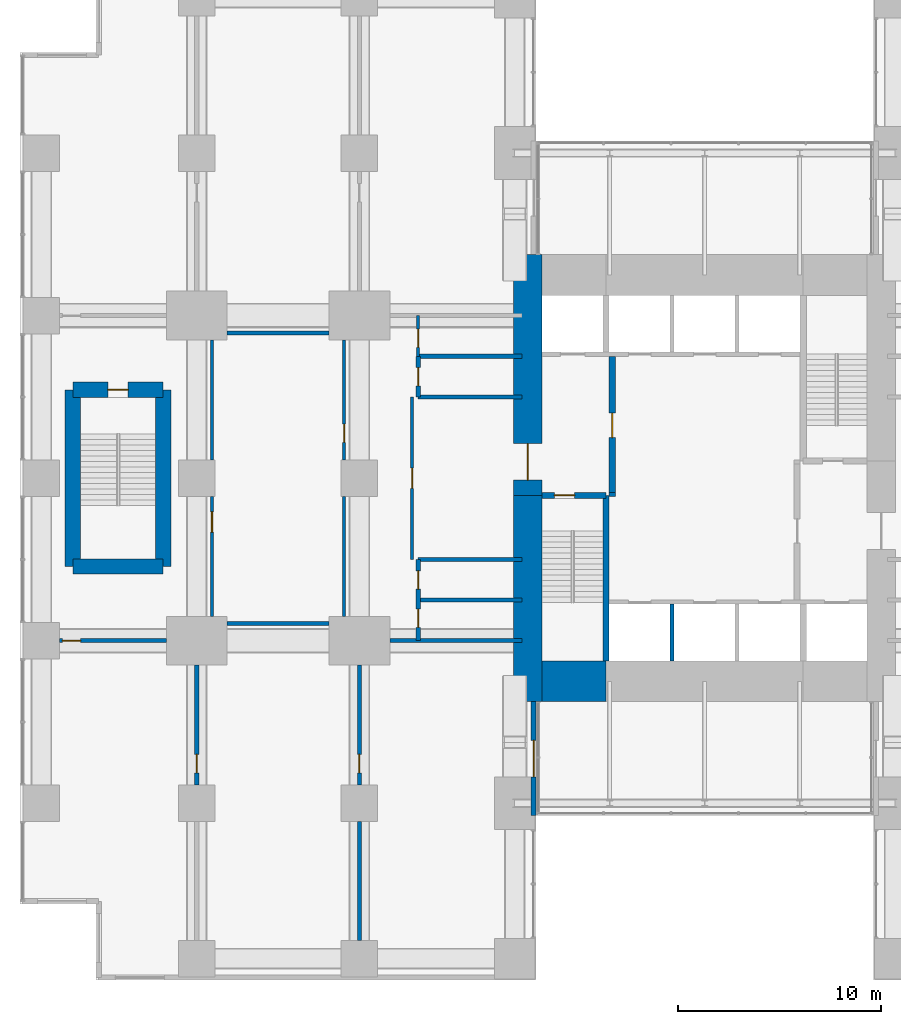
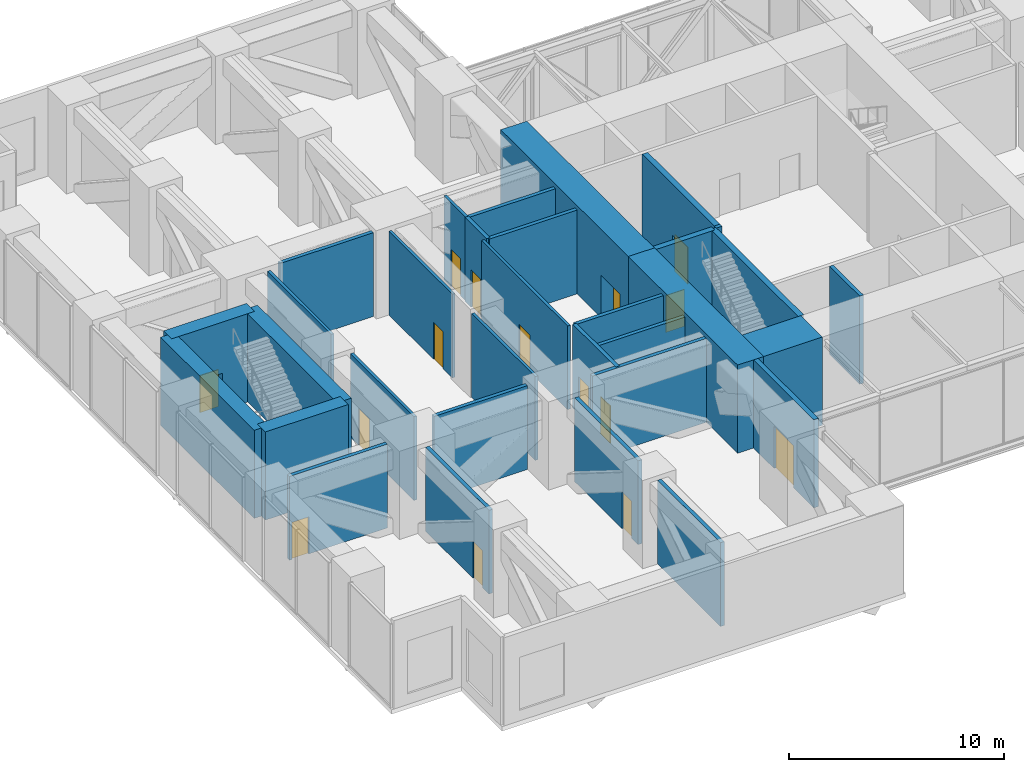
# One storey, part 15 of 19: 32 walls, 15 doors, 15 openings.
"""IFC4 building model written with IfcOpenShell, lengths in metres."""

import ifcopenshell
import ifcopenshell.guid

model = None  # the IFC model being written
_history = None  # IfcOwnerHistory: only IFC2X3 demands one
_inside = {}  # id of a spatial element -> (the spatial element, [elements in it])
_under = {}  # id of a project, library or spatial element -> (it, [spatial elements below it])
_declared = {}  # id of a project -> (the project, [libraries it declares])
_typed = {}  # id of a type object -> (the type object, [elements of that type])
_made_of = {}  # id of a material, layer set ... -> (it, [elements and type objects made of it])


def new_model(schema):
    """Start an empty IFC model of exactly this schema.

    Asked for "IFC4X3", IfcOpenShell would pick the latest addendum, in which some entities
    have other attributes; the version numbers below select the first issue.
    IFC2X3 requires an IfcOwnerHistory on every rooted entity: one is made here for all.
    """
    global model, _history
    if schema == "IFC4X3":
        model = ifcopenshell.file(schema_version=(4, 3, 0, 0))
    else:
        model = ifcopenshell.file(schema=schema)
    _inside.clear()
    _under.clear()
    _declared.clear()
    _typed.clear()
    _made_of.clear()
    _history = None
    if model.schema == "IFC2X3":
        org = make("IfcOrganization", Name="unknown")
        user = make(
            "IfcPersonAndOrganization",
            ThePerson=make("IfcPerson", FamilyName="unknown"),
            TheOrganization=org,
        )
        app = make(
            "IfcApplication",
            ApplicationDeveloper=org,
            Version="unknown",
            ApplicationFullName="unknown",
            ApplicationIdentifier="unknown",
        )
        _history = make(
            "IfcOwnerHistory",
            OwningUser=user,
            OwningApplication=app,
            ChangeAction="ADDED",
            CreationDate=0,
        )
    return model


def make(cls, **values):
    """One entity of the class cls with the attributes given. An attribute that is None is left unset."""
    return model.create_entity(
        cls, **{name: value for name, value in values.items() if value is not None}
    )


def rooted(cls, **values):
    """An entity with a GlobalId (a new one), such as an element, a storey or a relation."""
    return make(cls, GlobalId=ifcopenshell.guid.new(), OwnerHistory=_history, **values)


def si_unit(unit_type, name, prefix=None):
    """IfcSIUnit, for example si_unit("LENGTHUNIT", "METRE", prefix="MILLI")."""
    return make("IfcSIUnit", UnitType=unit_type, Prefix=prefix, Name=name)


def assignment(units):
    """IfcUnitAssignment: the units of a project."""
    return None if units is None else make("IfcUnitAssignment", Units=units)


def point(xyz):
    """IfcCartesianPoint."""
    return None if xyz is None else make("IfcCartesianPoint", Coordinates=xyz)


def direction(xyz):
    """IfcDirection."""
    return None if xyz is None else make("IfcDirection", DirectionRatios=xyz)


def frame(location, z_axis=None, x_axis=None):
    """IfcAxis2Placement3D, a coordinate frame: its origin and axes. An axis left out is left unset."""
    return make(
        "IfcAxis2Placement3D",
        Location=point(location),
        Axis=direction(z_axis),
        RefDirection=direction(x_axis),
    )


def frame_2d(location, x_axis=None):
    """IfcAxis2Placement2D, a coordinate frame in the plane: its origin and x axis."""
    return make(
        "IfcAxis2Placement2D", Location=point(location), RefDirection=direction(x_axis)
    )


def origin():
    """The frame at (0, 0, 0) with its axes left unset."""
    return frame((0.0, 0.0, 0.0))


def place(relative_to, where):
    """IfcLocalPlacement: puts the frame where relative to a parent placement (None: the world)."""
    return make(
        "IfcLocalPlacement", PlacementRelTo=relative_to, RelativePlacement=where
    )


def context(
    kind, dimensions, precision=None, world=None, true_north=None, identifier=None
):
    """IfcGeometricRepresentationContext, for example the 3D "Model" context."""
    return make(
        "IfcGeometricRepresentationContext",
        ContextIdentifier=identifier,
        ContextType=kind,
        CoordinateSpaceDimension=dimensions,
        Precision=precision,
        WorldCoordinateSystem=world,
        TrueNorth=true_north,
    )


def subcontext(parent, identifier, kind, view, scale=None):
    """IfcGeometricRepresentationSubContext, for example "Body" below "Model"."""
    return make(
        "IfcGeometricRepresentationSubContext",
        ContextIdentifier=identifier,
        ContextType=kind,
        ParentContext=parent,
        TargetScale=scale,
        TargetView=view,
    )


def project(units=None, contexts=None):
    """IfcProject with its units and contexts."""
    return rooted(
        "IfcProject",
        Name="project",
        RepresentationContexts=contexts,
        UnitsInContext=assignment(units),
    )


def spatial(cls, under=None, at=None, **own):
    """A site, building, storey or space (cls), placed at a placement, below another one or the project."""
    s = rooted(cls, ObjectPlacement=at, **own)
    if under is not None:
        _under.setdefault(under.id(), (under, []))[1].append(s)
    return s


def profile(cls, at=None, kind="AREA", **sizes):
    """A parametric profile (cls). Its sizes go by their IFC names, for example OverallWidth=200.0."""
    return make(cls, ProfileType=kind, Position=at, **sizes)


def rectangle(**sizes):
    """IfcRectangleProfileDef."""
    return profile("IfcRectangleProfileDef", **sizes)


def extrude(swept, where, along, depth):
    """IfcExtrudedAreaSolid: the profile swept, set in the frame where, extruded along a direction by depth."""
    return make(
        "IfcExtrudedAreaSolid",
        SweptArea=swept,
        Position=where,
        ExtrudedDirection=direction(along),
        Depth=depth,
    )


def shape(context_of_items, identifier, shape_type, items):
    """IfcShapeRepresentation: the items that make up one representation, for example the "Body"."""
    return make(
        "IfcShapeRepresentation",
        ContextOfItems=context_of_items,
        RepresentationIdentifier=identifier,
        RepresentationType=shape_type,
        Items=items,
    )


def material(Name=None, Category=None):
    """IfcMaterial."""
    return make("IfcMaterial", Name=Name, Category=Category)


def layer(
    of_material, thickness, ventilated=None, Name=None, Category=None, Priority=None
):
    """IfcMaterialLayer: one layer of a wall or slab, of a material (None: an air gap)."""
    return make(
        "IfcMaterialLayer",
        Material=of_material,
        LayerThickness=thickness,
        IsVentilated=ventilated,
        Name=Name,
        Category=Category,
        Priority=Priority,
    )


def layer_set(layers, Name=None):
    """IfcMaterialLayerSet."""
    return make("IfcMaterialLayerSet", MaterialLayers=layers, LayerSetName=Name)


def made_of(thing, what):
    """Note that an element or type object is made of a material, layer set ...; save() writes the relation."""
    if what is not None:
        _made_of.setdefault(what.id(), (what, []))[1].append(thing)
    return thing


def type_object(cls, material=None, **own):
    """A type object (cls), such as IfcWallType, which elements share."""
    return made_of(rooted(cls, **own), material)


def element(
    cls,
    number,
    at=None,
    inside=None,
    cuts=None,
    type_object=None,
    material=None,
    context=None,
    identifier="Body",
    shape_type=None,
    held_by="IfcProductDefinitionShape",
    body=None,
    shapes=None,
    **own,
):
    """One element of the class cls, such as IfcWall. Its Tag is "e" and its number.

    at: its placement. inside: the storey or other place that contains it. cuts: it is an
    opening in that element (IfcRelVoidsElement). A single representation is given by context,
    identifier, shape_type and body (its items); several are given by shapes. held_by: the class
    of the entity that holds the representations. save() writes the other relations.
    """
    e = rooted(cls, Tag="e%d" % number, ObjectPlacement=at, **own)
    if body is not None:
        shapes = [shape(context, identifier, shape_type, body)]
    if shapes is not None:
        e.Representation = make(held_by, Representations=shapes)
    if inside is not None:
        _inside.setdefault(inside.id(), (inside, []))[1].append(e)
    if cuts is not None:
        rooted(
            "IfcRelVoidsElement", RelatingBuildingElement=cuts, RelatedOpeningElement=e
        )
    if type_object is not None:
        _typed.setdefault(type_object.id(), (type_object, []))[1].append(e)
    return made_of(e, material)


def fill(opening, filler):
    """IfcRelFillsElement: the door or window that sits in an opening."""
    return rooted(
        "IfcRelFillsElement",
        RelatingOpeningElement=opening,
        RelatedBuildingElement=filler,
    )


def aggregate(whole, parts):
    """IfcRelAggregates: a whole, such as a stair, and the parts it consists of."""
    return rooted("IfcRelAggregates", RelatingObject=whole, RelatedObjects=parts)


def save(model, path):
    """Write the relations noted so far, then the file.

    IfcRelAggregates (storeys below a building ...), IfcRelContainedInSpatialStructure (elements
    in a storey), IfcRelDefinesByType, IfcRelAssociatesMaterial and IfcRelDeclares: one each for
    every whole, place, type object, material and project.
    """
    for whole, parts in _under.values():
        aggregate(whole, parts)
    for where, things in _inside.values():
        rooted(
            "IfcRelContainedInSpatialStructure",
            RelatedElements=things,
            RelatingStructure=where,
        )
    for kind, things in _typed.values():
        rooted("IfcRelDefinesByType", RelatedObjects=things, RelatingType=kind)
    for what, things in _made_of.values():
        rooted("IfcRelAssociatesMaterial", RelatedObjects=things, RelatingMaterial=what)
    for by, libraries in _declared.values():
        rooted("IfcRelDeclares", RelatingContext=by, RelatedDefinitions=libraries)
    model.write(path)


model = new_model("IFC4")

# Units and contexts
model_context = context("Model", 3, precision=1e-05, world=origin(), true_north=direction((0.0, 1.0)))
body_context = subcontext(model_context, "Body", "Model", "MODEL_VIEW")
ifc_project = project(units=[si_unit("LENGTHUNIT", "METRE"), si_unit("AREAUNIT", "SQUARE_METRE"), si_unit("VOLUMEUNIT", "CUBIC_METRE"), si_unit("PLANEANGLEUNIT", "RADIAN"), si_unit("MASSUNIT", "GRAM", prefix="KILO")], contexts=[model_context])

# Site, building, storey
site_placement = place(None, origin())
site = spatial("IfcSite", under=ifc_project, at=site_placement, CompositionType="ELEMENT")
building_placement = place(site_placement, origin())
building = spatial("IfcBuilding", under=site, at=building_placement, Name="Cleftline Residences", CompositionType="ELEMENT")
storey_placement = place(building_placement, frame((0.0, 0.0, 177.199951171875)))
storey = spatial("IfcBuildingStorey", under=building, at=storey_placement, Name="L46", CompositionType="ELEMENT", Elevation=177.199951171875)

# Wall
ifc_material_1 = material(Name="Concrete B70", Category="concrete")
ifc_layer_1 = layer(ifc_material_1, 1.39990234375)
ifc_layer_set_1 = layer_set([ifc_layer_1], Name="CORE WALL 1400")
wall_type_1 = type_object("IfcWallType", Name="CORE WALL 1400", PredefinedType="SHEAR", material=ifc_layer_set_1)
wall_1_placement = place(storey_placement, frame((24.300048828125, 13.0, 0.0), z_axis=(0.0, 0.0, 1.0), x_axis=(0.0, 1.0, 0.0)))
element("IfcWall", 1, at=wall_1_placement, inside=storey, type_object=wall_type_1, Name="Core wall W0", PredefinedType="SHEAR", context=body_context, shape_type="SweptSolid", body=[
    extrude(rectangle(XDim=10.14990234375, YDim=1.39990234375, at=frame_2d((5.074951171875, 0.0))), origin(), (0.0, 0.0, 1.0), 5.0),
])

# Wall, opening, door
wall_2_placement = place(storey_placement, frame((24.300048828125, 23.14990234375, 0.0), z_axis=(0.0, 0.0, 1.0), x_axis=(0.0, 1.0, 0.0)))
wall_2 = element("IfcWall", 2, at=wall_2_placement, inside=storey, type_object=wall_type_1, Name="Core wall W", PredefinedType="SHEAR", context=body_context, shape_type="SweptSolid", body=[
    extrude(rectangle(XDim=11.85009765625, YDim=1.39990234375, at=frame_2d((5.925048828125, 0.0))), origin(), (0.0, 0.0, 1.0), 5.0),
])
opening_1_placement = place(wall_2_placement, frame((0.75, 0.0, 0.0)))
opening_1 = element("IfcOpeningElement", 3, at=opening_1_placement, cuts=wall_2, Name="Opening D7", PredefinedType="OPENING", context=body_context, shape_type="SweptSolid", body=[
    extrude(rectangle(XDim=1.800048828125, YDim=2.39990234375, at=frame_2d((0.89990234375, 1.199951171875))), frame((0.0, 0.7099609375, 0.0), z_axis=(0.0, -1.0, 0.0), x_axis=(1.0, 0.0, 0.0)), (0.0, 0.0, 1.0), 1.419921875),
])
ifc_material_2 = material(Name="Steel", Category="steel")
door_type_1 = type_object("IfcDoorType", Name="WING DOOR 1800X2400", OperationType="DOUBLE_DOOR_DOUBLE_SWING", PredefinedType="DOOR", material=ifc_material_2)
door_1_placement = place(opening_1_placement, origin())
door_1 = element("IfcDoor", 4, at=door_1_placement, inside=storey, type_object=door_type_1, Name="West wing door", OperationType="DOUBLE_DOOR_DOUBLE_SWING", OverallHeight=2.39990234375, OverallWidth=1.800048828125, PredefinedType="DOOR", context=body_context, shape_type="SweptSolid", body=[
    extrude(rectangle(XDim=1.800048828125, YDim=2.39990234375, at=frame_2d((0.89990234375, 1.199951171875))), frame((0.0, 0.02490234375, 0.0), z_axis=(0.0, -1.0, 0.0), x_axis=(1.0, 0.0, 0.0)), (0.0, 0.0, 1.0), 0.050048828125),
])
fill(opening_1, door_1)

# Walls
ifc_material_3 = material(Name="Concrete B70", Category="concrete")
ifc_layer_2 = layer(ifc_material_3, 2.0)
ifc_layer_set_2 = layer_set([ifc_layer_2], Name="CORE WALL 2000")
wall_type_2 = type_object("IfcWallType", Name="CORE WALL 2000", PredefinedType="SHEAR", material=ifc_layer_set_2)
wall_3_placement = place(storey_placement, frame((25.0, 14.0, 0.0), z_axis=(0.0, 0.0, 1.0), x_axis=(1.0, 0.0, 0.0)))
element("IfcWall", 5, at=wall_3_placement, inside=storey, type_object=wall_type_2, Name="Core wall S1", PredefinedType="SHEAR", context=body_context, shape_type="SweptSolid", body=[
    extrude(rectangle(XDim=3.14990234375, YDim=2.0, at=frame_2d((1.574951171875, 0.0))), origin(), (0.0, 0.0, 1.0), 5.0),
])
ifc_material_4 = material(Name="Concrete B70", Category="concrete")
ifc_layer_3 = layer(ifc_material_4, 0.300048828125)
ifc_layer_set_3 = layer_set([ifc_layer_3], Name="CORE WALL 300")
wall_type_3 = type_object("IfcWallType", Name="CORE WALL 300", PredefinedType="SHEAR", material=ifc_layer_set_3)
wall_4_placement = place(storey_placement, frame((28.14990234375, 15.0, 0.0), z_axis=(0.0, 0.0, 1.0), x_axis=(0.0, 1.0, 0.0)))
element("IfcWall", 6, at=wall_4_placement, inside=storey, type_object=wall_type_3, Name="Core wall SA-E", PredefinedType="SHEAR", context=body_context, shape_type="SweptSolid", body=[
    extrude(rectangle(XDim=8.14990234375, YDim=0.300048828125, at=frame_2d((4.074951171875, 0.0))), origin(), (0.0, 0.0, 1.0), 5.0),
])

# Wall, opening, door
wall_5_placement = place(storey_placement, frame((25.0, 23.14990234375, 0.0), z_axis=(0.0, 0.0, 1.0), x_axis=(1.0, 0.0, 0.0)))
wall_5 = element("IfcWall", 7, at=wall_5_placement, inside=storey, type_object=wall_type_3, Name="Core wall SA-N", PredefinedType="SHEAR", context=body_context, shape_type="SweptSolid", body=[
    extrude(rectangle(XDim=3.14990234375, YDim=0.300048828125, at=frame_2d((1.574951171875, 0.0))), origin(), (0.0, 0.0, 1.0), 5.0),
])
opening_2_placement = place(wall_5_placement, frame((0.60009765625, 0.0, 0.0)))
opening_2 = element("IfcOpeningElement", 8, at=opening_2_placement, cuts=wall_5, Name="Opening D5", PredefinedType="OPENING", context=body_context, shape_type="SweptSolid", body=[
    extrude(rectangle(XDim=1.0, YDim=2.10009765625, at=frame_2d((0.5, 1.050048828125))), frame((0.0, 0.159912109375, 0.0), z_axis=(0.0, -1.0, 0.0), x_axis=(1.0, 0.0, 0.0)), (0.0, 0.0, 1.0), 0.320068359375),
])
ifc_material_5 = material(Name="Steel", Category="steel")
door_type_2 = type_object("IfcDoorType", Name="STAIR DOOR 1000X2100", OperationType="SINGLE_SWING_LEFT", PredefinedType="DOOR", material=ifc_material_5)
door_2_placement = place(opening_2_placement, origin())
door_2 = element("IfcDoor", 9, at=door_2_placement, inside=storey, type_object=door_type_2, Name="Stair A door", OperationType="SINGLE_SWING_RIGHT", OverallHeight=2.10009765625, OverallWidth=1.0, PredefinedType="DOOR", context=body_context, shape_type="SweptSolid", body=[
    extrude(rectangle(XDim=1.0, YDim=2.10009765625, at=frame_2d((0.5, 1.050048828125))), frame((0.0, 0.02490234375, 0.0), z_axis=(0.0, -1.0, 0.0), x_axis=(1.0, 0.0, 0.0)), (0.0, 0.0, 1.0), 0.050048828125),
])
fill(opening_2, door_2)

ifc_material_6 = material(Name="Rendered reinforced concrete blockwork", Category="masonry")
ifc_layer_4 = layer(ifc_material_6, 0.25)
ifc_layer_set_4 = layer_set([ifc_layer_4], Name="EXTERNAL WALL 250")
wall_type_4 = type_object("IfcWallType", Name="EXTERNAL WALL 250", PredefinedType="SOLIDWALL", material=ifc_layer_set_4)
wall_6_placement = place(storey_placement, frame((24.574951171875, 7.39990234375, 0.0), z_axis=(0.0, 0.0, 1.0), x_axis=(0.0, 1.0, 0.0)))
wall_6 = element("IfcWall", 10, at=wall_6_placement, inside=storey, type_object=wall_type_4, Name="External wall", PredefinedType="SOLIDWALL", context=body_context, shape_type="SweptSolid", body=[
    extrude(rectangle(XDim=5.60009765625, YDim=0.25, at=frame_2d((2.800048828125, 0.0))), origin(), (0.0, 0.0, 1.0), 5.0),
])
opening_3_placement = place(wall_6_placement, frame((1.89990234375, 0.0, 0.0)))
opening_3 = element("IfcOpeningElement", 11, at=opening_3_placement, cuts=wall_6, Name="Opening DB1", PredefinedType="OPENING", context=body_context, shape_type="SweptSolid", body=[
    extrude(rectangle(XDim=1.800048828125, YDim=2.39990234375, at=frame_2d((0.89990234375, 1.199951171875))), frame((0.0, 0.135009765625, 0.0), z_axis=(0.0, -1.0, 0.0), x_axis=(1.0, 0.0, 0.0)), (0.0, 0.0, 1.0), 0.27001953125),
])
ifc_material_7 = material(Name="Steel and glass, fire rated", Category="steel")
door_type_3 = type_object("IfcDoorType", Name="BRIDGE DOOR 1800X2400", OperationType="DOUBLE_DOOR_DOUBLE_SWING", PredefinedType="DOOR", material=ifc_material_7)
door_3_placement = place(opening_3_placement, origin())
door_3 = element("IfcDoor", 12, at=door_3_placement, inside=storey, type_object=door_type_3, Name="Sky bridge door", OperationType="DOUBLE_DOOR_DOUBLE_SWING", OverallHeight=2.39990234375, OverallWidth=1.800048828125, PredefinedType="DOOR", context=body_context, shape_type="SweptSolid", body=[
    extrude(rectangle(XDim=1.800048828125, YDim=2.39990234375, at=frame_2d((0.89990234375, 1.199951171875))), frame((0.0, 0.02490234375, 0.0), z_axis=(0.0, -1.0, 0.0), x_axis=(1.0, 0.0, 0.0)), (0.0, 0.0, 1.0), 0.050048828125),
])
fill(opening_3, door_3)

ifc_material_8 = material(Name="Concrete blockwork, fire rated", Category="masonry")
ifc_layer_5 = layer(ifc_material_8, 0.199951171875)
ifc_layer_set_5 = layer_set([ifc_layer_5], Name="FIRE WALL 200")
wall_type_5 = type_object("IfcWallType", Name="FIRE WALL 200", PredefinedType="PARTITIONING", material=ifc_layer_set_5)
wall_7_placement = place(storey_placement, frame((1.25, 16.0, 0.0), z_axis=(0.0, 0.0, 1.0), x_axis=(1.0, 0.0, 0.0)))
wall_7 = element("IfcWall", 13, at=wall_7_placement, inside=storey, type_object=wall_type_5, Name="Fire separating wall", PredefinedType="PARTITIONING", context=body_context, shape_type="SweptSolid", body=[
    extrude(rectangle(XDim=5.25, YDim=0.199951171875, at=frame_2d((2.625, 0.0))), origin(), (0.0, 0.0, 1.0), 4.75),
])
opening_4_placement = place(wall_7_placement, frame((0.139892578125, 0.0, 0.0)))
opening_4 = element("IfcOpeningElement", 14, at=opening_4_placement, cuts=wall_7, Name="Opening D1F60", PredefinedType="OPENING", context=body_context, shape_type="SweptSolid", body=[
    extrude(rectangle(XDim=0.89990234375, YDim=2.10009765625, at=frame_2d((0.449951171875, 1.050048828125))), frame((0.0, 0.10986328125, 0.0), z_axis=(0.0, -1.0, 0.0), x_axis=(1.0, 0.0, 0.0)), (0.0, 0.0, 1.0), 0.219970703125),
])
ifc_material_9 = material(Name="Timber veneer on solid core", Category="wood")
door_type_4 = type_object("IfcDoorType", Name="DOOR 900X2100 EI 60", OperationType="SINGLE_SWING_LEFT", PredefinedType="DOOR", material=ifc_material_9)
door_4_placement = place(opening_4_placement, origin())
door_4 = element("IfcDoor", 15, at=door_4_placement, inside=storey, type_object=door_type_4, Name="Door to air handling plant room", OperationType="SINGLE_SWING_RIGHT", OverallHeight=2.10009765625, OverallWidth=0.89990234375, PredefinedType="DOOR", context=body_context, shape_type="SweptSolid", body=[
    extrude(rectangle(XDim=0.89990234375, YDim=2.10009765625, at=frame_2d((0.449951171875, 1.050048828125))), frame((0.0, 0.02490234375, 0.0), z_axis=(0.0, -1.0, 0.0), x_axis=(1.0, 0.0, 0.0)), (0.0, 0.0, 1.0), 0.050048828125),
])
fill(opening_4, door_4)

# Walls
wall_8_placement = place(storey_placement, frame((17.5, 16.0, 0.0), z_axis=(0.0, 0.0, 1.0), x_axis=(1.0, 0.0, 0.0)))
element("IfcWall", 16, at=wall_8_placement, inside=storey, type_object=wall_type_5, Name="Fire separating wall", PredefinedType="PARTITIONING", context=body_context, shape_type="SweptSolid", body=[
    extrude(rectangle(XDim=6.5, YDim=0.199951171875, at=frame_2d((3.25, 0.0))), origin(), (0.0, 0.0, 1.0), 4.75),
])
wall_9_placement = place(storey_placement, frame((9.5, 16.85009765625, 0.0), z_axis=(0.0, 0.0, 1.0), x_axis=(1.0, 0.0, 0.0)))
element("IfcWall", 17, at=wall_9_placement, inside=storey, type_object=wall_type_5, Name="Fire separating wall", PredefinedType="PARTITIONING", context=body_context, shape_type="SweptSolid", body=[
    extrude(rectangle(XDim=5.0, YDim=0.199951171875, at=frame_2d((2.5, 0.0))), origin(), (0.0, 0.0, 1.0), 4.75),
])
for number, where, z_axis, x_axis, name in (
    (18, (18.89990234375, 18.0, 0.0), (0.0, 0.0, 1.0), (1.0, 0.0, 0.0), "Fire separating wall"),
    (19, (18.89990234375, 20.0, 0.0), (0.0, 0.0, 1.0), (1.0, 0.0, 0.0), "Fire separating wall"),
    (20, (18.89990234375, 28.0, 0.0), (0.0, 0.0, 1.0), (1.0, 0.0, 0.0), "Fire separating wall"),
    (21, (18.89990234375, 30.0, 0.0), (0.0, 0.0, 1.0), (1.0, 0.0, 0.0), "Fire separating wall"),
):
    element("IfcWall", number, at=place(storey_placement, frame(where, z_axis=z_axis, x_axis=x_axis)), inside=storey, type_object=wall_type_5, Name=name, PredefinedType="PARTITIONING", context=body_context, shape_type="SweptSolid", body=[
        extrude(rectangle(XDim=5.10009765625, YDim=0.199951171875, at=frame_2d((2.550048828125, 0.0))), origin(), (0.0, 0.0, 1.0), 4.75),
    ])
wall_10_placement = place(storey_placement, frame((9.5, 31.14990234375, 0.0), z_axis=(0.0, 0.0, 1.0), x_axis=(1.0, 0.0, 0.0)))
element("IfcWall", 22, at=wall_10_placement, inside=storey, type_object=wall_type_5, Name="Fire separating wall", PredefinedType="PARTITIONING", context=body_context, shape_type="SweptSolid", body=[
    extrude(rectangle(XDim=5.0, YDim=0.199951171875, at=frame_2d((2.5, 0.0))), origin(), (0.0, 0.0, 1.0), 4.75),
])

# Wall, opening, door
wall_11_placement = place(storey_placement, frame((8.0, 8.89990234375, 0.0), z_axis=(0.0, 0.0, 1.0), x_axis=(0.0, 1.0, 0.0)))
wall_11 = element("IfcWall", 23, at=wall_11_placement, inside=storey, type_object=wall_type_5, Name="Fire separating wall", PredefinedType="PARTITIONING", context=body_context, shape_type="SweptSolid", body=[
    extrude(rectangle(XDim=5.900146484375, YDim=0.199951171875, at=frame_2d((2.9501953125, 0.0))), origin(), (0.0, 0.0, 1.0), 4.75),
])
opening_5_placement = place(wall_11_placement, frame((0.60009765625, 0.0, 0.0)))
opening_5 = element("IfcOpeningElement", 24, at=opening_5_placement, cuts=wall_11, Name="Opening D1F60", PredefinedType="OPENING", context=body_context, shape_type="SweptSolid", body=[
    extrude(rectangle(XDim=0.89990234375, YDim=2.10009765625, at=frame_2d((0.449951171875, 1.050048828125))), frame((0.0, 0.10986328125, 0.0), z_axis=(0.0, -1.0, 0.0), x_axis=(1.0, 0.0, 0.0)), (0.0, 0.0, 1.0), 0.219970703125),
])
door_5_placement = place(opening_5_placement, origin())
door_5 = element("IfcDoor", 25, at=door_5_placement, inside=storey, type_object=door_type_4, Name="Door to chilled water pump room", OperationType="SINGLE_SWING_RIGHT", OverallHeight=2.10009765625, OverallWidth=0.89990234375, PredefinedType="DOOR", context=body_context, shape_type="SweptSolid", body=[
    extrude(rectangle(XDim=0.89990234375, YDim=2.10009765625, at=frame_2d((0.449951171875, 1.050048828125))), frame((0.0, 0.02490234375, 0.0), z_axis=(0.0, -1.0, 0.0), x_axis=(1.0, 0.0, 0.0)), (0.0, 0.0, 1.0), 0.050048828125),
])
fill(opening_5, door_5)

# Wall
wall_12_placement = place(storey_placement, frame((16.0, 1.25, 0.0), z_axis=(0.0, 0.0, 1.0), x_axis=(0.0, 1.0, 0.0)))
element("IfcWall", 26, at=wall_12_placement, inside=storey, type_object=wall_type_5, Name="Fire separating wall", PredefinedType="PARTITIONING", context=body_context, shape_type="SweptSolid", body=[
    extrude(rectangle(XDim=5.85009765625, YDim=0.199951171875, at=frame_2d((2.925048828125, 0.0))), origin(), (0.0, 0.0, 1.0), 4.75),
])

# Wall, opening, door
wall_13_placement = place(storey_placement, frame((16.0, 8.89990234375, 0.0), z_axis=(0.0, 0.0, 1.0), x_axis=(0.0, 1.0, 0.0)))
wall_13 = element("IfcWall", 27, at=wall_13_placement, inside=storey, type_object=wall_type_5, Name="Fire separating wall", PredefinedType="PARTITIONING", context=body_context, shape_type="SweptSolid", body=[
    extrude(rectangle(XDim=5.900146484375, YDim=0.199951171875, at=frame_2d((2.9501953125, 0.0))), origin(), (0.0, 0.0, 1.0), 4.75),
])
opening_6_placement = place(wall_13_placement, frame((0.60009765625, 0.0, 0.0)))
opening_6 = element("IfcOpeningElement", 28, at=opening_6_placement, cuts=wall_13, Name="Opening D1F60", PredefinedType="OPENING", context=body_context, shape_type="SweptSolid", body=[
    extrude(rectangle(XDim=0.89990234375, YDim=2.10009765625, at=frame_2d((0.449951171875, 1.050048828125))), frame((0.0, 0.10986328125, 0.0), z_axis=(0.0, -1.0, 0.0), x_axis=(1.0, 0.0, 0.0)), (0.0, 0.0, 1.0), 0.219970703125),
])
door_6_placement = place(opening_6_placement, origin())
door_6 = element("IfcDoor", 29, at=door_6_placement, inside=storey, type_object=door_type_4, Name="Door to electrical switch room", OperationType="SINGLE_SWING_RIGHT", OverallHeight=2.10009765625, OverallWidth=0.89990234375, PredefinedType="DOOR", context=body_context, shape_type="SweptSolid", body=[
    extrude(rectangle(XDim=0.89990234375, YDim=2.10009765625, at=frame_2d((0.449951171875, 1.050048828125))), frame((0.0, 0.02490234375, 0.0), z_axis=(0.0, -1.0, 0.0), x_axis=(1.0, 0.0, 0.0)), (0.0, 0.0, 1.0), 0.050048828125),
])
fill(opening_6, door_6)

# Wall, openings, doors
wall_14_placement = place(storey_placement, frame((18.89990234375, 16.0, 0.0), z_axis=(0.0, 0.0, 1.0), x_axis=(0.0, 1.0, 0.0)))
wall_14 = element("IfcWall", 30, at=wall_14_placement, inside=storey, type_object=wall_type_5, Name="Fire separating wall", PredefinedType="PARTITIONING", context=body_context, shape_type="SweptSolid", body=[
    extrude(rectangle(XDim=4.0, YDim=0.199951171875, at=frame_2d((2.0, 0.0))), origin(), (0.0, 0.0, 1.0), 4.75),
])
opening_7_placement = place(wall_14_placement, frame((0.659912109375, 0.0, 0.0)))
opening_7 = element("IfcOpeningElement", 31, at=opening_7_placement, cuts=wall_14, Name="Opening D1F30", PredefinedType="OPENING", context=body_context, shape_type="SweptSolid", body=[
    extrude(rectangle(XDim=0.89990234375, YDim=2.10009765625, at=frame_2d((0.449951171875, 1.050048828125))), frame((0.0, 0.10986328125, 0.0), z_axis=(0.0, -1.0, 0.0), x_axis=(1.0, 0.0, 0.0)), (0.0, 0.0, 1.0), 0.219970703125),
])
opening_8_placement = place(wall_14_placement, frame((2.5400390625, 0.0, 0.0)))
opening_8 = element("IfcOpeningElement", 32, at=opening_8_placement, cuts=wall_14, Name="Opening D1F30", PredefinedType="OPENING", context=body_context, shape_type="SweptSolid", body=[
    extrude(rectangle(XDim=0.89990234375, YDim=2.10009765625, at=frame_2d((0.449951171875, 1.050048828125))), frame((0.0, 0.10986328125, 0.0), z_axis=(0.0, -1.0, 0.0), x_axis=(1.0, 0.0, 0.0)), (0.0, 0.0, 1.0), 0.219970703125),
])
ifc_material_10 = material(Name="Timber veneer on solid core", Category="wood")
door_type_5 = type_object("IfcDoorType", Name="DOOR 900X2100 EI 30", OperationType="SINGLE_SWING_LEFT", PredefinedType="DOOR", material=ifc_material_10)
door_7_placement = place(opening_7_placement, origin())
door_7 = element("IfcDoor", 33, at=door_7_placement, inside=storey, type_object=door_type_5, Name="Door to male wc", OperationType="SINGLE_SWING_RIGHT", OverallHeight=2.10009765625, OverallWidth=0.89990234375, PredefinedType="DOOR", context=body_context, shape_type="SweptSolid", body=[
    extrude(rectangle(XDim=0.89990234375, YDim=2.10009765625, at=frame_2d((0.449951171875, 1.050048828125))), frame((0.0, 0.02490234375, 0.0), z_axis=(0.0, -1.0, 0.0), x_axis=(1.0, 0.0, 0.0)), (0.0, 0.0, 1.0), 0.050048828125),
])
fill(opening_7, door_7)
door_8_placement = place(opening_8_placement, origin())
door_8 = element("IfcDoor", 34, at=door_8_placement, inside=storey, type_object=door_type_5, Name="Door to female wc", OperationType="SINGLE_SWING_LEFT", OverallHeight=2.10009765625, OverallWidth=0.89990234375, PredefinedType="DOOR", context=body_context, shape_type="SweptSolid", body=[
    extrude(rectangle(XDim=0.89990234375, YDim=2.10009765625, at=frame_2d((0.449951171875, 1.050048828125))), frame((0.0, 0.02490234375, 0.0), z_axis=(0.0, -1.0, 0.0), x_axis=(1.0, 0.0, 0.0)), (0.0, 0.0, 1.0), 0.050048828125),
])
fill(opening_8, door_8)

# Wall, opening, door
wall_15_placement = place(storey_placement, frame((18.89990234375, 28.0, 0.0), z_axis=(0.0, 0.0, 1.0), x_axis=(0.0, 1.0, 0.0)))
wall_15 = element("IfcWall", 35, at=wall_15_placement, inside=storey, type_object=wall_type_5, Name="Fire separating wall", PredefinedType="PARTITIONING", context=body_context, shape_type="SweptSolid", body=[
    extrude(rectangle(XDim=2.0, YDim=0.199951171875, at=frame_2d((1.0, 0.0))), origin(), (0.0, 0.0, 1.0), 4.75),
])
opening_9_placement = place(wall_15_placement, frame((0.5400390625, 0.0, 0.0)))
opening_9 = element("IfcOpeningElement", 36, at=opening_9_placement, cuts=wall_15, Name="Opening D1F30", PredefinedType="OPENING", context=body_context, shape_type="SweptSolid", body=[
    extrude(rectangle(XDim=0.89990234375, YDim=2.10009765625, at=frame_2d((0.449951171875, 1.050048828125))), frame((0.0, 0.10986328125, 0.0), z_axis=(0.0, -1.0, 0.0), x_axis=(1.0, 0.0, 0.0)), (0.0, 0.0, 1.0), 0.219970703125),
])
door_9_placement = place(opening_9_placement, origin())
door_9 = element("IfcDoor", 37, at=door_9_placement, inside=storey, type_object=door_type_5, Name="Door to accessible wc", OperationType="SINGLE_SWING_RIGHT", OverallHeight=2.10009765625, OverallWidth=0.89990234375, PredefinedType="DOOR", context=body_context, shape_type="SweptSolid", body=[
    extrude(rectangle(XDim=0.89990234375, YDim=2.10009765625, at=frame_2d((0.449951171875, 1.050048828125))), frame((0.0, 0.02490234375, 0.0), z_axis=(0.0, -1.0, 0.0), x_axis=(1.0, 0.0, 0.0)), (0.0, 0.0, 1.0), 0.050048828125),
])
fill(opening_9, door_9)

# Wall
wall_16_placement = place(storey_placement, frame((28.300048828125, 23.199951171875, 0.0), z_axis=(0.0, 0.0, 1.0), x_axis=(1.0, 0.0, 0.0)))
element("IfcWall", 38, at=wall_16_placement, inside=storey, type_object=wall_type_5, Name="Fire separating wall", PredefinedType="PARTITIONING", context=body_context, shape_type="SweptSolid", body=[
    extrude(rectangle(XDim=0.300048828125, YDim=0.199951171875, at=frame_2d((0.14990234375, 0.0))), origin(), (0.0, 0.0, 1.0), 5.0),
])

# Wall, opening, door
ifc_material_11 = material(Name="Gypsum board on steel studs", Category="steel")
ifc_layer_6 = layer(ifc_material_11, 0.14990234375)
ifc_layer_set_6 = layer_set([ifc_layer_6], Name="PARTITION 150")
wall_type_6 = type_object("IfcWallType", Name="PARTITION 150", PredefinedType="PARTITIONING", material=ifc_layer_set_6)
wall_17_placement = place(storey_placement, frame((8.75, 17.199951171875, 0.0), z_axis=(0.0, 0.0, 1.0), x_axis=(0.0, 1.0, 0.0)))
wall_17 = element("IfcWall", 39, at=wall_17_placement, inside=storey, type_object=wall_type_6, Name="Partition", PredefinedType="PARTITIONING", context=body_context, shape_type="SweptSolid", body=[
    extrude(rectangle(XDim=5.900146484375, YDim=0.14990234375, at=frame_2d((2.9501953125, 0.0))), origin(), (0.0, 0.0, 1.0), 4.75),
])
opening_10_placement = place(wall_17_placement, frame((4.139892578125, 0.0, 0.0)))
opening_10 = element("IfcOpeningElement", 40, at=opening_10_placement, cuts=wall_17, Name="Opening D2F30", PredefinedType="OPENING", context=body_context, shape_type="SweptSolid", body=[
    extrude(rectangle(XDim=1.0, YDim=2.10009765625, at=frame_2d((0.5, 1.050048828125))), frame((0.0, 0.0849609375, 0.0), z_axis=(0.0, -1.0, 0.0), x_axis=(1.0, 0.0, 0.0)), (0.0, 0.0, 1.0), 0.169921875),
])
ifc_material_12 = material(Name="Timber veneer on solid core", Category="wood")
door_type_6 = type_object("IfcDoorType", Name="DOOR 1000X2100 EI 30", OperationType="SINGLE_SWING_LEFT", PredefinedType="DOOR", material=ifc_material_12)
door_10_placement = place(opening_10_placement, origin())
door_10 = element("IfcDoor", 41, at=door_10_placement, inside=storey, type_object=door_type_6, Name="Door to stair w lobby", OperationType="SINGLE_SWING_LEFT", OverallHeight=2.10009765625, OverallWidth=1.0, PredefinedType="DOOR", context=body_context, shape_type="SweptSolid", body=[
    extrude(rectangle(XDim=1.0, YDim=2.10009765625, at=frame_2d((0.5, 1.050048828125))), frame((0.0, 0.02490234375, 0.0), z_axis=(0.0, -1.0, 0.0), x_axis=(1.0, 0.0, 0.0)), (0.0, 0.0, 1.0), 0.050048828125),
])
fill(opening_10, door_10)

# Walls
for number, where, z_axis, x_axis, name in (
    (42, (8.75, 24.89990234375, 0.0), (0.0, 0.0, 1.0), (0.0, 1.0, 0.0), "Partition"),
    (43, (15.25, 17.199951171875, 0.0), (0.0, 0.0, 1.0), (0.0, 1.0, 0.0), "Partition"),
):
    element("IfcWall", number, at=place(storey_placement, frame(where, z_axis=z_axis, x_axis=x_axis)), inside=storey, type_object=wall_type_6, Name=name, PredefinedType="PARTITIONING", context=body_context, shape_type="SweptSolid", body=[
        extrude(rectangle(XDim=5.900146484375, YDim=0.14990234375, at=frame_2d((2.9501953125, 0.0))), origin(), (0.0, 0.0, 1.0), 4.75),
    ])

# Wall, opening, door
wall_18_placement = place(storey_placement, frame((15.25, 24.89990234375, 0.0), z_axis=(0.0, 0.0, 1.0), x_axis=(0.0, 1.0, 0.0)))
wall_18 = element("IfcWall", 44, at=wall_18_placement, inside=storey, type_object=wall_type_6, Name="Partition", PredefinedType="PARTITIONING", context=body_context, shape_type="SweptSolid", body=[
    extrude(rectangle(XDim=5.900146484375, YDim=0.14990234375, at=frame_2d((2.9501953125, 0.0))), origin(), (0.0, 0.0, 1.0), 4.75),
])
opening_11_placement = place(wall_18_placement, frame((0.860107421875, 0.0, 0.0)))
opening_11 = element("IfcOpeningElement", 45, at=opening_11_placement, cuts=wall_18, Name="Opening D1", PredefinedType="OPENING", context=body_context, shape_type="SweptSolid", body=[
    extrude(rectangle(XDim=0.89990234375, YDim=2.10009765625, at=frame_2d((0.449951171875, 1.050048828125))), frame((0.0, 0.0849609375, 0.0), z_axis=(0.0, -1.0, 0.0), x_axis=(1.0, 0.0, 0.0)), (0.0, 0.0, 1.0), 0.169921875),
])
ifc_material_13 = material(Name="Timber veneer on solid core", Category="wood")
door_type_7 = type_object("IfcDoorType", Name="DOOR 900X2100", OperationType="SINGLE_SWING_LEFT", PredefinedType="DOOR", material=ifc_material_13)
door_11_placement = place(opening_11_placement, origin())
door_11 = element("IfcDoor", 46, at=door_11_placement, inside=storey, type_object=door_type_7, Name="Door to residents' sky lounge", OperationType="SINGLE_SWING_RIGHT", OverallHeight=2.10009765625, OverallWidth=0.89990234375, PredefinedType="DOOR", context=body_context, shape_type="SweptSolid", body=[
    extrude(rectangle(XDim=0.89990234375, YDim=2.10009765625, at=frame_2d((0.449951171875, 1.050048828125))), frame((0.0, 0.02490234375, 0.0), z_axis=(0.0, -1.0, 0.0), x_axis=(1.0, 0.0, 0.0)), (0.0, 0.0, 1.0), 0.050048828125),
])
fill(opening_11, door_11)

wall_19_placement = place(storey_placement, frame((18.60009765625, 20.0, 0.0), z_axis=(0.0, 0.0, 1.0), x_axis=(0.0, 1.0, 0.0)))
wall_19 = element("IfcWall", 47, at=wall_19_placement, inside=storey, type_object=wall_type_6, Name="Partition", PredefinedType="PARTITIONING", context=body_context, shape_type="SweptSolid", body=[
    extrude(rectangle(XDim=8.0, YDim=0.14990234375, at=frame_2d((4.0, 0.0))), origin(), (0.0, 0.0, 1.0), 4.75),
])
opening_12_placement = place(wall_19_placement, frame((3.5, 0.0, 0.0)))
opening_12 = element("IfcOpeningElement", 48, at=opening_12_placement, cuts=wall_19, Name="Opening D2F30", PredefinedType="OPENING", context=body_context, shape_type="SweptSolid", body=[
    extrude(rectangle(XDim=1.0, YDim=2.10009765625, at=frame_2d((0.5, 1.050048828125))), frame((0.0, 0.0849609375, 0.0), z_axis=(0.0, -1.0, 0.0), x_axis=(1.0, 0.0, 0.0)), (0.0, 0.0, 1.0), 0.169921875),
])
door_12_placement = place(opening_12_placement, origin())
door_12 = element("IfcDoor", 49, at=door_12_placement, inside=storey, type_object=door_type_6, Name="Door to corridor", OperationType="SINGLE_SWING_LEFT", OverallHeight=2.10009765625, OverallWidth=1.0, PredefinedType="DOOR", context=body_context, shape_type="SweptSolid", body=[
    extrude(rectangle(XDim=1.0, YDim=2.10009765625, at=frame_2d((0.5, 1.050048828125))), frame((0.0, 0.02490234375, 0.0), z_axis=(0.0, -1.0, 0.0), x_axis=(1.0, 0.0, 0.0)), (0.0, 0.0, 1.0), 0.050048828125),
])
fill(opening_12, door_12)

wall_20_placement = place(storey_placement, frame((18.89990234375, 30.0, 0.0), z_axis=(0.0, 0.0, 1.0), x_axis=(0.0, 1.0, 0.0)))
wall_20 = element("IfcWall", 50, at=wall_20_placement, inside=storey, type_object=wall_type_6, Name="Partition", PredefinedType="PARTITIONING", context=body_context, shape_type="SweptSolid", body=[
    extrude(rectangle(XDim=2.0, YDim=0.14990234375, at=frame_2d((1.0, 0.0))), origin(), (0.0, 0.0, 1.0), 4.75),
])
opening_13_placement = place(wall_20_placement, frame((0.43994140625, 0.0, 0.0)))
opening_13 = element("IfcOpeningElement", 51, at=opening_13_placement, cuts=wall_20, Name="Opening D1", PredefinedType="OPENING", context=body_context, shape_type="SweptSolid", body=[
    extrude(rectangle(XDim=0.89990234375, YDim=2.10009765625, at=frame_2d((0.449951171875, 1.050048828125))), frame((0.0, 0.0849609375, 0.0), z_axis=(0.0, -1.0, 0.0), x_axis=(1.0, 0.0, 0.0)), (0.0, 0.0, 1.0), 0.169921875),
])
door_13_placement = place(opening_13_placement, origin())
door_13 = element("IfcDoor", 52, at=door_13_placement, inside=storey, type_object=door_type_7, Name="Door to cleaner's store", OperationType="SINGLE_SWING_RIGHT", OverallHeight=2.10009765625, OverallWidth=0.89990234375, PredefinedType="DOOR", context=body_context, shape_type="SweptSolid", body=[
    extrude(rectangle(XDim=0.89990234375, YDim=2.10009765625, at=frame_2d((0.449951171875, 1.050048828125))), frame((0.0, 0.02490234375, 0.0), z_axis=(0.0, -1.0, 0.0), x_axis=(1.0, 0.0, 0.0)), (0.0, 0.0, 1.0), 0.050048828125),
])
fill(opening_13, door_13)

# Walls
ifc_material_14 = material(Name="Concrete blockwork, fire rated", Category="masonry")
ifc_layer_7 = layer(ifc_material_14, 0.199951171875)
ifc_layer_set_7 = layer_set([ifc_layer_7], Name="SHAFT WALL 200")
wall_type_7 = type_object("IfcWallType", Name="SHAFT WALL 200", PredefinedType="PARTITIONING", material=ifc_layer_set_7)
wall_21_placement = place(storey_placement, frame((31.39990234375, 15.0, 0.0), z_axis=(0.0, 0.0, 1.0), x_axis=(0.0, 1.0, 0.0)))
element("IfcWall", 53, at=wall_21_placement, inside=storey, type_object=wall_type_7, Name="Lift shaft wall", PredefinedType="PARTITIONING", context=body_context, shape_type="SweptSolid", body=[
    extrude(rectangle(XDim=2.800048828125, YDim=0.199951171875, at=frame_2d((1.39990234375, 0.0))), origin(), (0.0, 0.0, 1.0), 5.0),
])
ifc_material_15 = material(Name="Concrete B70", Category="concrete")
ifc_layer_8 = layer(ifc_material_15, 0.75)
ifc_layer_set_8 = layer_set([ifc_layer_8], Name="SHEAR WALL 750")
wall_type_8 = type_object("IfcWallType", Name="SHEAR WALL 750", PredefinedType="SHEAR", material=ifc_layer_set_8)
wall_22_placement = place(storey_placement, frame((1.89990234375, 19.64990234375, 0.0), z_axis=(0.0, 0.0, 1.0), x_axis=(1.0, 0.0, 0.0)))
element("IfcWall", 54, at=wall_22_placement, inside=storey, type_object=wall_type_8, Name="Wing shear wall", PredefinedType="SHEAR", context=body_context, shape_type="SweptSolid", body=[
    extrude(rectangle(XDim=4.4501953125, YDim=0.75, at=frame_2d((2.22509765625, 0.0))), origin(), (0.0, 0.0, 1.0), 5.0),
])
wall_23_placement = place(storey_placement, frame((6.35009765625, 19.64990234375, 0.0), z_axis=(0.0, 0.0, 1.0), x_axis=(0.0, 1.0, 0.0)))
element("IfcWall", 55, at=wall_23_placement, inside=storey, type_object=wall_type_8, Name="Wing shear wall", PredefinedType="SHEAR", context=body_context, shape_type="SweptSolid", body=[
    extrude(rectangle(XDim=8.7001953125, YDim=0.75, at=frame_2d((4.35009765625, 0.0))), origin(), (0.0, 0.0, 1.0), 5.0),
])

# Wall, opening, door
wall_24_placement = place(storey_placement, frame((6.35009765625, 28.35009765625, 0.0), z_axis=(0.0, 0.0, 1.0), x_axis=(-1.0, 0.0, 0.0)))
wall_24 = element("IfcWall", 56, at=wall_24_placement, inside=storey, type_object=wall_type_8, Name="Wing shear wall", PredefinedType="SHEAR", context=body_context, shape_type="SweptSolid", body=[
    extrude(rectangle(XDim=4.4501953125, YDim=0.75, at=frame_2d((2.22509765625, 0.0))), origin(), (0.0, 0.0, 1.0), 5.0),
])
opening_14_placement = place(wall_24_placement, frame((1.72509765625, 0.0, 0.0)))
opening_14 = element("IfcOpeningElement", 57, at=opening_14_placement, cuts=wall_24, Name="Opening D5", PredefinedType="OPENING", context=body_context, shape_type="SweptSolid", body=[
    extrude(rectangle(XDim=1.0, YDim=2.10009765625, at=frame_2d((0.5, 1.050048828125))), frame((0.0, 0.385009765625, 0.0), z_axis=(0.0, -1.0, 0.0), x_axis=(1.0, 0.0, 0.0)), (0.0, 0.0, 1.0), 0.77001953125),
])
door_14_placement = place(opening_14_placement, origin())
door_14 = element("IfcDoor", 58, at=door_14_placement, inside=storey, type_object=door_type_2, Name="Stair W door", OperationType="SINGLE_SWING_LEFT", OverallHeight=2.10009765625, OverallWidth=1.0, PredefinedType="DOOR", context=body_context, shape_type="SweptSolid", body=[
    extrude(rectangle(XDim=1.0, YDim=2.10009765625, at=frame_2d((0.5, 1.050048828125))), frame((0.0, 0.02490234375, 0.0), z_axis=(0.0, -1.0, 0.0), x_axis=(1.0, 0.0, 0.0)), (0.0, 0.0, 1.0), 0.050048828125),
])
fill(opening_14, door_14)

# Wall
wall_25_placement = place(storey_placement, frame((1.89990234375, 28.35009765625, 0.0), z_axis=(0.0, 0.0, 1.0), x_axis=(0.0, -1.0, 0.0)))
element("IfcWall", 59, at=wall_25_placement, inside=storey, type_object=wall_type_8, Name="Wing shear wall", PredefinedType="SHEAR", context=body_context, shape_type="SweptSolid", body=[
    extrude(rectangle(XDim=8.7001953125, YDim=0.75, at=frame_2d((4.35009765625, 0.0))), origin(), (0.0, 0.0, 1.0), 5.0),
])

# Wall, opening, door
ifc_material_16 = material(Name="Concrete blockwork, fire rated", Category="masonry")
ifc_layer_9 = layer(ifc_material_16, 0.300048828125)
ifc_layer_set_9 = layer_set([ifc_layer_9], Name="STAIR LOBBY WALL 300")
wall_type_9 = type_object("IfcWallType", Name="STAIR LOBBY WALL 300", PredefinedType="PARTITIONING", material=ifc_layer_set_9)
wall_26_placement = place(storey_placement, frame((28.449951171875, 23.300048828125, 0.0), z_axis=(0.0, 0.0, 1.0), x_axis=(0.0, 1.0, 0.0)))
wall_26 = element("IfcWall", 60, at=wall_26_placement, inside=storey, type_object=wall_type_9, Name="Stair and lobby wall FA-E", PredefinedType="PARTITIONING", context=body_context, shape_type="SweptSolid", body=[
    extrude(rectangle(XDim=6.699951171875, YDim=0.300048828125, at=frame_2d((3.35009765625, 0.0))), origin(), (0.0, 0.0, 1.0), 5.0),
])
opening_15_placement = place(wall_26_placement, frame((2.699951171875, 0.0, 0.0)))
opening_15 = element("IfcOpeningElement", 61, at=opening_15_placement, cuts=wall_26, Name="Opening D6", PredefinedType="OPENING", context=body_context, shape_type="SweptSolid", body=[
    extrude(rectangle(XDim=1.199951171875, YDim=2.10009765625, at=frame_2d((0.60009765625, 1.050048828125))), frame((0.0, 0.159912109375, 0.0), z_axis=(0.0, -1.0, 0.0), x_axis=(1.0, 0.0, 0.0)), (0.0, 0.0, 1.0), 0.320068359375),
])
ifc_material_17 = material(Name="Steel", Category="steel")
door_type_8 = type_object("IfcDoorType", Name="LOBBY DOOR 1200X2100", OperationType="SINGLE_SWING_RIGHT", PredefinedType="DOOR", material=ifc_material_17)
door_15_placement = place(opening_15_placement, origin())
door_15 = element("IfcDoor", 62, at=door_15_placement, inside=storey, type_object=door_type_8, Name="Firefighting lobby A door", OperationType="SINGLE_SWING_RIGHT", OverallHeight=2.10009765625, OverallWidth=1.199951171875, PredefinedType="DOOR", context=body_context, shape_type="SweptSolid", body=[
    extrude(rectangle(XDim=1.199951171875, YDim=2.10009765625, at=frame_2d((0.60009765625, 1.050048828125))), frame((0.0, 0.02490234375, 0.0), z_axis=(0.0, -1.0, 0.0), x_axis=(1.0, 0.0, 0.0)), (0.0, 0.0, 1.0), 0.050048828125),
])
fill(opening_15, door_15)

save(model, "model.ifc")
